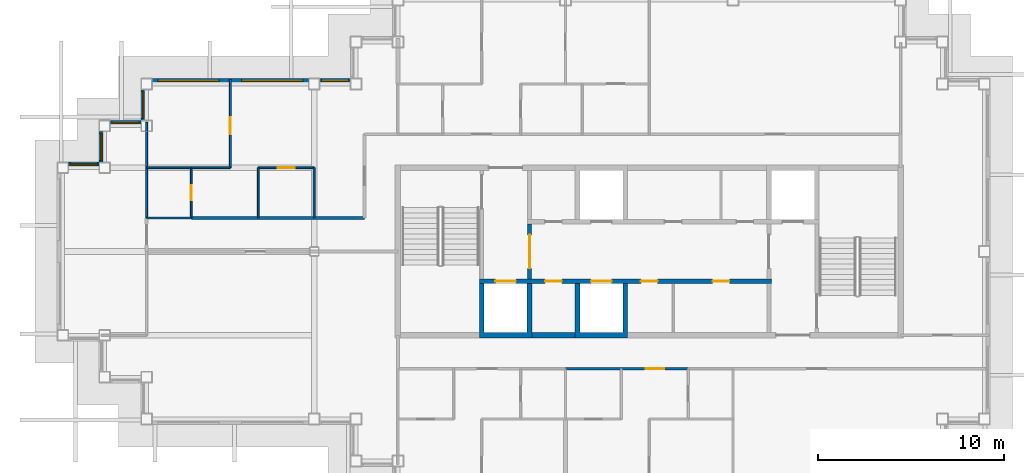
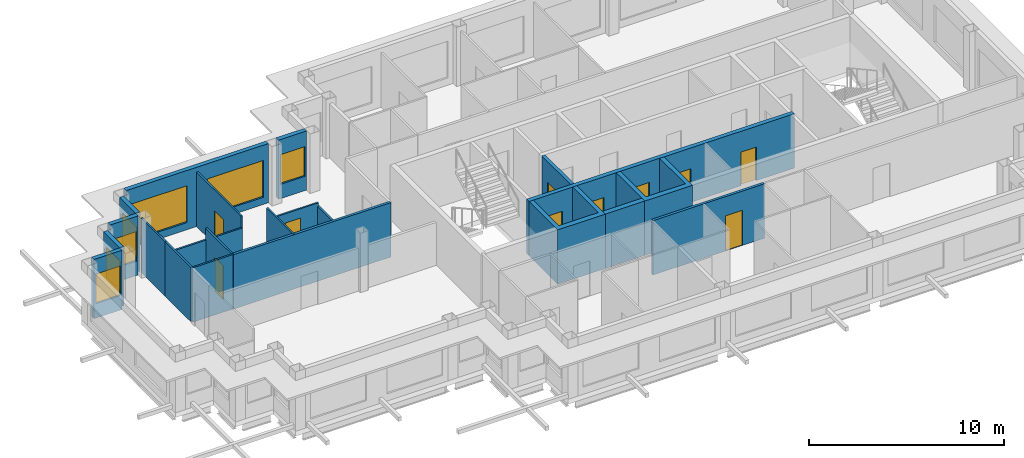
# One storey, part 3 of 11: 23 walls, 10 doors, 7 windows, 17 openings.
"""IFC4 building model written with IfcOpenShell, lengths in metres."""

from ifc_helpers import new_model, si_unit, direction, frame, frame_2d, origin, place, context, subcontext, project, spatial, polyline, rectangle, outline, extrude, material, layer, layer_set, type_object, element, fill, save


model = new_model("IFC4")

# Units and contexts
model_context = context("Model", 3, precision=1e-05, world=origin(), true_north=direction((0.0, 1.0)))
body_context = subcontext(model_context, "Body", "Model", "MODEL_VIEW")
ifc_project = project(units=[si_unit("LENGTHUNIT", "METRE"), si_unit("AREAUNIT", "SQUARE_METRE"), si_unit("VOLUMEUNIT", "CUBIC_METRE"), si_unit("PLANEANGLEUNIT", "RADIAN"), si_unit("MASSUNIT", "GRAM", prefix="KILO")], contexts=[model_context])

# Site, building, storey
site_placement = place(None, origin())
site = spatial("IfcSite", under=ifc_project, at=site_placement, CompositionType="ELEMENT")
building_placement = place(site_placement, origin())
building = spatial("IfcBuilding", under=site, at=building_placement, Name="Caravel Reach Hotel and Residences", CompositionType="ELEMENT")
storey_placement = place(building_placement, frame((0.0, 0.0, 249.0)))
storey = spatial("IfcBuildingStorey", under=building, at=storey_placement, Name="L63", CompositionType="ELEMENT", Elevation=249.0)

# Walls
ifc_material_1 = material(Name="Gypsum board on steel stud", Category="steel")
ifc_layer_1 = layer(ifc_material_1, 0.10009765625)
ifc_layer_set_1 = layer_set([ifc_layer_1], Name="Bathroom pod wall 100 mm")
wall_type_1 = type_object("IfcWallType", Name="Bathroom pod wall 100 mm", PredefinedType="PARTITIONING", material=ifc_layer_set_1)
wall_1_placement = place(storey_placement, frame((4.5, 28.800048828125, 0.0), z_axis=(0.0, 0.0, 1.0), x_axis=(1.0, 0.0, 0.0)))
element("IfcWall", 1, at=wall_1_placement, inside=storey, type_object=wall_type_1, Name="L63 wall w057", PredefinedType="PARTITIONING", context=body_context, shape_type="SweptSolid", body=[
    extrude(rectangle(XDim=2.39990234375, YDim=0.10009765625, at=frame_2d((1.199951171875, 0.0))), origin(), (0.0, 0.0, 1.0), 3.39990234375),
])
wall_2_placement = place(storey_placement, frame((4.5, 31.5, 0.0), z_axis=(0.0, 0.0, 1.0), x_axis=(1.0, 0.0, 0.0)))
element("IfcWall", 2, at=wall_2_placement, inside=storey, type_object=wall_type_1, Name="L63 wall w058", PredefinedType="PARTITIONING", context=body_context, shape_type="SweptSolid", body=[
    extrude(rectangle(XDim=2.39990234375, YDim=0.10009765625, at=frame_2d((1.199951171875, 0.0))), origin(), (0.0, 0.0, 1.0), 2.679931640625),
])
wall_3_placement = place(storey_placement, frame((4.5, 28.800048828125, 0.0), z_axis=(0.0, 0.0, 1.0), x_axis=(0.0, 1.0, 0.0)))
element("IfcWall", 3, at=wall_3_placement, inside=storey, type_object=wall_type_1, Name="L63 wall w067", PredefinedType="PARTITIONING", context=body_context, shape_type="SweptSolid", body=[
    extrude(rectangle(XDim=2.699951171875, YDim=0.10009765625, at=frame_2d((1.35009765625, 0.0))), origin(), (0.0, 0.0, 1.0), 3.39990234375),
])

# Wall, opening, door
wall_4_placement = place(storey_placement, frame((6.89990234375, 28.800048828125, 0.0), z_axis=(0.0, 0.0, 1.0), x_axis=(0.0, 1.0, 0.0)))
wall_4 = element("IfcWall", 4, at=wall_4_placement, inside=storey, type_object=wall_type_1, Name="L63 wall w068", PredefinedType="PARTITIONING", context=body_context, shape_type="SweptSolid", body=[
    extrude(rectangle(XDim=2.699951171875, YDim=0.10009765625, at=frame_2d((1.35009765625, 0.0))), origin(), (0.0, 0.0, 1.0), 3.39990234375),
])
opening_1_placement = place(wall_4_placement, frame((0.949951171875, 0.0, 0.0)))
opening_1 = element("IfcOpeningElement", 5, at=opening_1_placement, cuts=wall_4, Name="Opening D63-025", PredefinedType="OPENING", context=body_context, shape_type="SweptSolid", body=[
    extrude(rectangle(XDim=0.800048828125, YDim=2.10009765625, at=frame_2d((0.39990234375, 1.050048828125))), frame((0.0, 0.06005859375, 0.0), z_axis=(0.0, -1.0, 0.0), x_axis=(1.0, 0.0, 0.0)), (0.0, 0.0, 1.0), 0.1201171875),
])
ifc_material_2 = material(Name="Timber and steel door leaf", Category="steel")
door_type_1 = type_object("IfcDoorType", Name="Bathroom door 800 x 2100", OperationType="SINGLE_SWING_LEFT", PredefinedType="DOOR", material=ifc_material_2)
door_1_placement = place(opening_1_placement, origin())
door_1 = element("IfcDoor", 6, at=door_1_placement, inside=storey, type_object=door_type_1, Name="door D63-025", OperationType="SINGLE_SWING_LEFT", OverallHeight=2.10009765625, OverallWidth=0.800048828125, PredefinedType="DOOR", context=body_context, shape_type="SweptSolid", body=[
    extrude(rectangle(XDim=0.800048828125, YDim=2.10009765625, at=frame_2d((0.39990234375, 1.050048828125))), frame((0.0, 0.02490234375, 0.0), z_axis=(0.0, -1.0, 0.0), x_axis=(1.0, 0.0, 0.0)), (0.0, 0.0, 1.0), 0.050048828125),
])
fill(opening_1, door_1)

# Wall
ifc_material_3 = material(Name="Concrete C60", Category="concrete")
ifc_layer_2 = layer(ifc_material_3, 0.300048828125)
ifc_layer_set_2 = layer_set([ifc_layer_2], Name="Core wall 300 mm EI 120")
wall_type_2 = type_object("IfcWallType", Name="Core wall 300 mm EI 120", PredefinedType="SHEAR", material=ifc_layer_set_2)
wall_5_placement = place(storey_placement, frame((25.196533203125, 22.5, 0.0), z_axis=(0.0, 0.0, 1.0), x_axis=(1.0, 0.0, 0.0)))
element("IfcWall", 7, at=wall_5_placement, inside=storey, type_object=wall_type_2, Name="L63 core wall S2", PredefinedType="SHEAR", context=body_context, shape_type="SweptSolid", body=[
    extrude(rectangle(XDim=2.3212890625, YDim=0.300048828125, at=frame_2d((1.16064453125, 0.0))), origin(), (0.0, 0.0, 1.0), 3.39990234375),
])

# Wall, opening, door
ifc_material_4 = material(Name="Gypsum board on steel stud, fire-rated", Category="steel")
ifc_layer_3 = layer(ifc_material_4, 0.14990234375)
ifc_layer_set_3 = layer_set([ifc_layer_3], Name="Corridor wall 150 mm EI 60")
wall_type_3 = type_object("IfcWallType", Name="Corridor wall 150 mm EI 60", PredefinedType="PARTITIONING", material=ifc_layer_set_3)
wall_6_placement = place(storey_placement, frame((27.0, 20.699951171875, 0.0), z_axis=(0.0, 0.0, 1.0), x_axis=(1.0, 0.0, 0.0)))
wall_6 = element("IfcWall", 8, at=wall_6_placement, inside=storey, type_object=wall_type_3, Name="L63 wall w004", PredefinedType="PARTITIONING", context=body_context, shape_type="SweptSolid", body=[
    extrude(rectangle(XDim=6.60009765625, YDim=0.14990234375, at=frame_2d((3.300048828125, 0.0))), origin(), (0.0, 0.0, 1.0), 3.39990234375),
])
opening_2_placement = place(wall_6_placement, frame((4.300048828125, 0.0, 0.0)))
opening_2 = element("IfcOpeningElement", 9, at=opening_2_placement, cuts=wall_6, Name="Opening D63-033", PredefinedType="OPENING", context=body_context, shape_type="SweptSolid", body=[
    extrude(rectangle(XDim=1.0, YDim=2.199951171875, at=frame_2d((0.5, 1.10009765625))), frame((0.0, 0.0849609375, 0.0), z_axis=(0.0, -1.0, 0.0), x_axis=(1.0, 0.0, 0.0)), (0.0, 0.0, 1.0), 0.169921875),
])
ifc_material_5 = material(Name="Steel fire door leaf", Category="steel")
door_type_2 = type_object("IfcDoorType", Name="Flat entrance door 1000 x 2200 EI 60", OperationType="SINGLE_SWING_LEFT", PredefinedType="DOOR", material=ifc_material_5)
door_2_placement = place(opening_2_placement, origin())
door_2 = element("IfcDoor", 10, at=door_2_placement, inside=storey, type_object=door_type_2, Name="door D63-033", OperationType="SINGLE_SWING_LEFT", OverallHeight=2.199951171875, OverallWidth=1.0, PredefinedType="DOOR", context=body_context, shape_type="SweptSolid", body=[
    extrude(rectangle(XDim=1.0, YDim=2.199951171875, at=frame_2d((0.5, 1.10009765625))), frame((0.0, 0.02490234375, 0.0), z_axis=(0.0, -1.0, 0.0), x_axis=(1.0, 0.0, 0.0)), (0.0, 0.0, 1.0), 0.050048828125),
])
fill(opening_2, door_2)

# Wall
wall_7_placement = place(storey_placement, frame((6.89990234375, 28.800048828125, 0.0), z_axis=(0.0, 0.0, 1.0), x_axis=(1.0, 0.0, 0.0)))
element("IfcWall", 11, at=wall_7_placement, inside=storey, type_object=wall_type_3, Name="L63 wall w009", PredefinedType="PARTITIONING", context=body_context, shape_type="SweptSolid", body=[
    extrude(rectangle(XDim=9.299072265625, YDim=0.14990234375, at=frame_2d((4.6494140625, 0.0))), origin(), (0.0, 0.0, 1.0), 3.39990234375),
])

# Wall, opening, window
ifc_material_6 = material(Name="Insulated rainscreen wall, aluminium cladding", Category="aluminium")
ifc_layer_4 = layer(ifc_material_6, 0.25)
ifc_layer_set_4 = layer_set([ifc_layer_4], Name="EW1 Tower rainscreen wall")
wall_type_4 = type_object("IfcWallType", Name="EW1 Tower rainscreen wall", PredefinedType="SOLIDWALL", material=ifc_layer_set_4)
wall_8_placement = place(storey_placement, frame((15.449951171875, 36.175048828125, 0.0), z_axis=(0.0, 0.0, 1.0), x_axis=(-1.0, 0.0, 0.0)))
wall_8 = element("IfcWall", 12, at=wall_8_placement, inside=storey, type_object=wall_type_4, Name="External wall L63 N18.1", PredefinedType="SOLIDWALL", context=body_context, shape_type="SweptSolid", body=[
    extrude(rectangle(XDim=1.64990234375, YDim=0.25, at=frame_2d((0.824951171875, 0.0))), origin(), (0.0, 0.0, 1.0), 3.699951171875),
])
opening_3_placement = place(wall_8_placement, frame((0.10009765625, 0.0, 0.89990234375)))
opening_3 = element("IfcOpeningElement", 13, at=opening_3_placement, cuts=wall_8, Name="Opening WN25", PredefinedType="OPENING", context=body_context, shape_type="SweptSolid", body=[
    extrude(rectangle(XDim=1.449951171875, YDim=1.85009765625, at=frame_2d((0.72509765625, 0.925048828125))), frame((0.0, 0.135009765625, 0.0), z_axis=(0.0, -1.0, 0.0), x_axis=(1.0, 0.0, 0.0)), (0.0, 0.0, 1.0), 0.27001953125),
])
ifc_material_7 = material(Name="Dark low-e glazing in black aluminium frame", Category="aluminium")
window_type_1 = type_object("IfcWindowType", Name="Residence bedroom window 1450 x 1850", PartitioningType="SINGLE_PANEL", PredefinedType="WINDOW", material=ifc_material_7)
window_1_placement = place(opening_3_placement, origin())
window_1 = element("IfcWindow", 14, at=window_1_placement, inside=storey, type_object=window_type_1, Name="Window L63 N18.1.1", OverallHeight=1.85009765625, OverallWidth=1.449951171875, PartitioningType="SINGLE_PANEL", PredefinedType="WINDOW", context=body_context, shape_type="SweptSolid", body=[
    extrude(rectangle(XDim=1.449951171875, YDim=1.85009765625, at=frame_2d((0.72509765625, 0.925048828125))), frame((0.0, 0.030029296875, 0.0), z_axis=(0.0, -1.0, 0.0), x_axis=(1.0, 0.0, 0.0)), (0.0, 0.0, 1.0), 0.06005859375),
])
fill(opening_3, window_1)

# Wall, openings, windows
wall_9_placement = place(storey_placement, frame((13.199951171875, 36.175048828125, 0.0), z_axis=(0.0, 0.0, 1.0), x_axis=(-1.0, 0.0, 0.0)))
wall_9 = element("IfcWall", 15, at=wall_9_placement, inside=storey, type_object=wall_type_4, Name="External wall L63 N18.2", PredefinedType="SOLIDWALL", context=body_context, shape_type="SweptSolid", body=[
    extrude(rectangle(XDim=8.39990234375, YDim=0.25, at=frame_2d((4.199951171875, 0.0))), origin(), (0.0, 0.0, 1.0), 3.699951171875),
])
opening_4_placement = place(wall_9_placement, frame((0.300048828125, 0.0, 0.449951171875)))
opening_4 = element("IfcOpeningElement", 16, at=opening_4_placement, cuts=wall_9, Name="Opening WN15", PredefinedType="OPENING", context=body_context, shape_type="SweptSolid", body=[
    extrude(rectangle(XDim=3.300048828125, YDim=2.300048828125, at=frame_2d((1.64990234375, 1.14990234375))), frame((0.0, 0.135009765625, 0.0), z_axis=(0.0, -1.0, 0.0), x_axis=(1.0, 0.0, 0.0)), (0.0, 0.0, 1.0), 0.27001953125),
])
opening_5_placement = place(wall_9_placement, frame((4.800048828125, 0.0, 0.449951171875)))
opening_5 = element("IfcOpeningElement", 17, at=opening_5_placement, cuts=wall_9, Name="Opening WN15", PredefinedType="OPENING", context=body_context, shape_type="SweptSolid", body=[
    extrude(rectangle(XDim=3.300048828125, YDim=2.300048828125, at=frame_2d((1.64990234375, 1.14990234375))), frame((0.0, 0.135009765625, 0.0), z_axis=(0.0, -1.0, 0.0), x_axis=(1.0, 0.0, 0.0)), (0.0, 0.0, 1.0), 0.27001953125),
])
ifc_material_8 = material(Name="Dark low-e glazing in black aluminium frame", Category="aluminium")
window_type_2 = type_object("IfcWindowType", Name="Residence living window 3300 x 2300", PartitioningType="SINGLE_PANEL", PredefinedType="WINDOW", material=ifc_material_8)
window_2_placement = place(opening_4_placement, origin())
window_2 = element("IfcWindow", 18, at=window_2_placement, inside=storey, type_object=window_type_2, Name="Window L63 N18.2.1", OverallHeight=2.300048828125, OverallWidth=3.300048828125, PartitioningType="SINGLE_PANEL", PredefinedType="WINDOW", context=body_context, shape_type="SweptSolid", body=[
    extrude(rectangle(XDim=3.300048828125, YDim=2.300048828125, at=frame_2d((1.64990234375, 1.14990234375))), frame((0.0, 0.030029296875, 0.0), z_axis=(0.0, -1.0, 0.0), x_axis=(1.0, 0.0, 0.0)), (0.0, 0.0, 1.0), 0.06005859375),
])
fill(opening_4, window_2)
window_3_placement = place(opening_5_placement, origin())
window_3 = element("IfcWindow", 19, at=window_3_placement, inside=storey, type_object=window_type_2, Name="Window L63 N18.2.2", OverallHeight=2.300048828125, OverallWidth=3.300048828125, PartitioningType="SINGLE_PANEL", PredefinedType="WINDOW", context=body_context, shape_type="SweptSolid", body=[
    extrude(rectangle(XDim=3.300048828125, YDim=2.300048828125, at=frame_2d((1.64990234375, 1.14990234375))), frame((0.0, 0.030029296875, 0.0), z_axis=(0.0, -1.0, 0.0), x_axis=(1.0, 0.0, 0.0)), (0.0, 0.0, 1.0), 0.06005859375),
])
fill(opening_5, window_3)

# Wall, opening, window
wall_10_placement = place(storey_placement, frame((4.324951171875, 35.699951171875, 0.0), z_axis=(0.0, 0.0, 1.0), x_axis=(0.0, -1.0, 0.0)))
wall_10 = element("IfcWall", 20, at=wall_10_placement, inside=storey, type_object=wall_type_4, Name="External wall L63 W19.1", PredefinedType="SOLIDWALL", context=body_context, shape_type="SweptSolid", body=[
    extrude(rectangle(XDim=1.64990234375, YDim=0.25, at=frame_2d((0.824951171875, 0.0))), origin(), (0.0, 0.0, 1.0), 3.699951171875),
])
opening_6_placement = place(wall_10_placement, frame((0.10009765625, 0.0, 0.89990234375)))
opening_6 = element("IfcOpeningElement", 21, at=opening_6_placement, cuts=wall_10, Name="Opening WN25", PredefinedType="OPENING", context=body_context, shape_type="SweptSolid", body=[
    extrude(rectangle(XDim=1.449951171875, YDim=1.85009765625, at=frame_2d((0.72509765625, 0.925048828125))), frame((0.0, 0.135009765625, 0.0), z_axis=(0.0, -1.0, 0.0), x_axis=(1.0, 0.0, 0.0)), (0.0, 0.0, 1.0), 0.27001953125),
])
window_4_placement = place(opening_6_placement, origin())
window_4 = element("IfcWindow", 22, at=window_4_placement, inside=storey, type_object=window_type_1, Name="Window L63 W19.1.1", OverallHeight=1.85009765625, OverallWidth=1.449951171875, PartitioningType="SINGLE_PANEL", PredefinedType="WINDOW", context=body_context, shape_type="SweptSolid", body=[
    extrude(rectangle(XDim=1.449951171875, YDim=1.85009765625, at=frame_2d((0.72509765625, 0.925048828125))), frame((0.0, 0.030029296875, 0.0), z_axis=(0.0, -1.0, 0.0), x_axis=(1.0, 0.0, 0.0)), (0.0, 0.0, 1.0), 0.06005859375),
])
fill(opening_6, window_4)

wall_11_placement = place(storey_placement, frame((4.199951171875, 33.925048828125, 0.0), z_axis=(0.0, 0.0, 1.0), x_axis=(-1.0, 0.0, 0.0)))
wall_11 = element("IfcWall", 23, at=wall_11_placement, inside=storey, type_object=wall_type_4, Name="External wall L63 N20.1", PredefinedType="SOLIDWALL", context=body_context, shape_type="SweptSolid", body=[
    extrude(rectangle(XDim=1.64990234375, YDim=0.25, at=frame_2d((0.824951171875, 0.0))), origin(), (0.0, 0.0, 1.0), 3.699951171875),
])
opening_7_placement = place(wall_11_placement, frame((0.10009765625, 0.0, 0.89990234375)))
opening_7 = element("IfcOpeningElement", 24, at=opening_7_placement, cuts=wall_11, Name="Opening WN25", PredefinedType="OPENING", context=body_context, shape_type="SweptSolid", body=[
    extrude(rectangle(XDim=1.449951171875, YDim=1.85009765625, at=frame_2d((0.72509765625, 0.925048828125))), frame((0.0, 0.135009765625, 0.0), z_axis=(0.0, -1.0, 0.0), x_axis=(1.0, 0.0, 0.0)), (0.0, 0.0, 1.0), 0.27001953125),
])
window_5_placement = place(opening_7_placement, origin())
window_5 = element("IfcWindow", 25, at=window_5_placement, inside=storey, type_object=window_type_1, Name="Window L63 N20.1.1", OverallHeight=1.85009765625, OverallWidth=1.449951171875, PartitioningType="SINGLE_PANEL", PredefinedType="WINDOW", context=body_context, shape_type="SweptSolid", body=[
    extrude(rectangle(XDim=1.449951171875, YDim=1.85009765625, at=frame_2d((0.72509765625, 0.925048828125))), frame((0.0, 0.030029296875, 0.0), z_axis=(0.0, -1.0, 0.0), x_axis=(1.0, 0.0, 0.0)), (0.0, 0.0, 1.0), 0.06005859375),
])
fill(opening_7, window_5)

wall_12_placement = place(storey_placement, frame((2.074951171875, 33.449951171875, 0.0), z_axis=(0.0, 0.0, 1.0), x_axis=(0.0, -1.0, 0.0)))
wall_12 = element("IfcWall", 26, at=wall_12_placement, inside=storey, type_object=wall_type_4, Name="External wall L63 W21.1", PredefinedType="SOLIDWALL", context=body_context, shape_type="SweptSolid", body=[
    extrude(rectangle(XDim=1.64990234375, YDim=0.25, at=frame_2d((0.824951171875, 0.0))), origin(), (0.0, 0.0, 1.0), 3.699951171875),
])
opening_8_placement = place(wall_12_placement, frame((0.10009765625, 0.0, 0.89990234375)))
opening_8 = element("IfcOpeningElement", 27, at=opening_8_placement, cuts=wall_12, Name="Opening WN25", PredefinedType="OPENING", context=body_context, shape_type="SweptSolid", body=[
    extrude(rectangle(XDim=1.449951171875, YDim=1.85009765625, at=frame_2d((0.72509765625, 0.925048828125))), frame((0.0, 0.135009765625, 0.0), z_axis=(0.0, -1.0, 0.0), x_axis=(1.0, 0.0, 0.0)), (0.0, 0.0, 1.0), 0.27001953125),
])
window_6_placement = place(opening_8_placement, origin())
window_6 = element("IfcWindow", 28, at=window_6_placement, inside=storey, type_object=window_type_1, Name="Window L63 W21.1.1", OverallHeight=1.85009765625, OverallWidth=1.449951171875, PartitioningType="SINGLE_PANEL", PredefinedType="WINDOW", context=body_context, shape_type="SweptSolid", body=[
    extrude(rectangle(XDim=1.449951171875, YDim=1.85009765625, at=frame_2d((0.72509765625, 0.925048828125))), frame((0.0, 0.030029296875, 0.0), z_axis=(0.0, -1.0, 0.0), x_axis=(1.0, 0.0, 0.0)), (0.0, 0.0, 1.0), 0.06005859375),
])
fill(opening_8, window_6)

wall_13_placement = place(storey_placement, frame((1.949951171875, 31.675048828125, 0.0), z_axis=(0.0, 0.0, 1.0), x_axis=(-1.0, 0.0, 0.0)))
wall_13 = element("IfcWall", 29, at=wall_13_placement, inside=storey, type_object=wall_type_4, Name="External wall L63 N22.1", PredefinedType="SOLIDWALL", context=body_context, shape_type="SweptSolid", body=[
    extrude(rectangle(XDim=1.64990234375, YDim=0.25, at=frame_2d((0.824951171875, 0.0))), origin(), (0.0, 0.0, 1.0), 3.699951171875),
])
opening_9_placement = place(wall_13_placement, frame((0.10009765625, 0.0, 0.89990234375)))
opening_9 = element("IfcOpeningElement", 30, at=opening_9_placement, cuts=wall_13, Name="Opening WN25", PredefinedType="OPENING", context=body_context, shape_type="SweptSolid", body=[
    extrude(rectangle(XDim=1.449951171875, YDim=1.85009765625, at=frame_2d((0.72509765625, 0.925048828125))), frame((0.0, 0.135009765625, 0.0), z_axis=(0.0, -1.0, 0.0), x_axis=(1.0, 0.0, 0.0)), (0.0, 0.0, 1.0), 0.27001953125),
])
window_7_placement = place(opening_9_placement, origin())
window_7 = element("IfcWindow", 31, at=window_7_placement, inside=storey, type_object=window_type_1, Name="Window L63 N22.1.1", OverallHeight=1.85009765625, OverallWidth=1.449951171875, PartitioningType="SINGLE_PANEL", PredefinedType="WINDOW", context=body_context, shape_type="SweptSolid", body=[
    extrude(rectangle(XDim=1.449951171875, YDim=1.85009765625, at=frame_2d((0.72509765625, 0.925048828125))), frame((0.0, 0.030029296875, 0.0), z_axis=(0.0, -1.0, 0.0), x_axis=(1.0, 0.0, 0.0)), (0.0, 0.0, 1.0), 0.06005859375),
])
fill(opening_9, window_7)

# Wall, opening, door
ifc_material_9 = material(Name="Autoclaved aerated block wall")
ifc_layer_5 = layer(ifc_material_9, 0.199951171875)
ifc_layer_set_5 = layer_set([ifc_layer_5], Name="Fire lobby wall 200 mm EI 120")
wall_type_5 = type_object("IfcWallType", Name="Fire lobby wall 200 mm EI 120", PredefinedType="PARTITIONING", material=ifc_layer_set_5)
wall_14_placement = place(storey_placement, frame((25.071533203125, 25.52490234375, 0.0), z_axis=(0.0, 0.0, 1.0), x_axis=(0.0, 1.0, 0.0)))
wall_14 = element("IfcWall", 32, at=wall_14_placement, inside=storey, type_object=wall_type_5, Name="L63 lobby W wall", PredefinedType="PARTITIONING", context=body_context, shape_type="SweptSolid", body=[
    extrude(rectangle(XDim=2.9501953125, YDim=0.199951171875, at=frame_2d((1.47509765625, 0.0))), origin(), (0.0, 0.0, 1.0), 3.39990234375),
])
opening_10_placement = place(wall_14_placement, frame((0.574951171875, 0.0, 0.0)))
opening_10 = element("IfcOpeningElement", 33, at=opening_10_placement, cuts=wall_14, Name="Opening D63-013", PredefinedType="OPENING", context=body_context, shape_type="SweptSolid", body=[
    extrude(rectangle(XDim=1.800048828125, YDim=2.10009765625, at=frame_2d((0.89990234375, 1.050048828125))), frame((0.0, 0.10986328125, 0.0), z_axis=(0.0, -1.0, 0.0), x_axis=(1.0, 0.0, 0.0)), (0.0, 0.0, 1.0), 0.219970703125),
])
ifc_material_10 = material(Name="Steel fire door leaf", Category="steel")
door_type_3 = type_object("IfcDoorType", Name="Fire lobby door pair 1800 x 2100 EI 90", OperationType="DOUBLE_DOOR_SINGLE_SWING", PredefinedType="DOOR", material=ifc_material_10)
door_3_placement = place(opening_10_placement, origin())
door_3 = element("IfcDoor", 34, at=door_3_placement, inside=storey, type_object=door_type_3, Name="lobby W door pair", OperationType="DOUBLE_DOOR_SINGLE_SWING", OverallHeight=2.10009765625, OverallWidth=1.800048828125, PredefinedType="DOOR", context=body_context, shape_type="SweptSolid", body=[
    extrude(rectangle(XDim=1.800048828125, YDim=2.10009765625, at=frame_2d((0.89990234375, 1.050048828125))), frame((0.0, 0.02490234375, 0.0), z_axis=(0.0, -1.0, 0.0), x_axis=(1.0, 0.0, 0.0)), (0.0, 0.0, 1.0), 0.050048828125),
])
fill(opening_10, door_3)

# Wall
ifc_material_11 = material(Name="Gypsum board on steel stud", Category="steel")
ifc_layer_6 = layer(ifc_material_11, 0.10009765625)
ifc_layer_set_6 = layer_set([ifc_layer_6], Name="Partition 100 mm")
wall_type_6 = type_object("IfcWallType", Name="Partition 100 mm", PredefinedType="PARTITIONING", material=ifc_layer_set_6)
wall_15_placement = place(storey_placement, frame((6.89990234375, 31.5, 0.0), z_axis=(0.0, 0.0, 1.0), x_axis=(1.0, 0.0, 0.0)))
element("IfcWall", 35, at=wall_15_placement, inside=storey, type_object=wall_type_6, Name="L63 wall w026", PredefinedType="PARTITIONING", context=body_context, shape_type="SweptSolid", body=[
    extrude(rectangle(XDim=2.10009765625, YDim=0.10009765625, at=frame_2d((1.050048828125, 0.0))), origin(), (0.0, 0.0, 1.0), 2.679931640625),
])

# Wall, opening, door
wall_16_placement = place(storey_placement, frame((10.5, 31.5, 0.0), z_axis=(0.0, 0.0, 1.0), x_axis=(1.0, 0.0, 0.0)))
wall_16 = element("IfcWall", 36, at=wall_16_placement, inside=storey, type_object=wall_type_6, Name="L63 wall w027", PredefinedType="PARTITIONING", context=body_context, shape_type="SweptSolid", body=[
    extrude(rectangle(XDim=3.0, YDim=0.10009765625, at=frame_2d((1.5, 0.0))), origin(), (0.0, 0.0, 1.0), 2.679931640625),
])
opening_11_placement = place(wall_16_placement, frame((1.050048828125, 0.0, 0.0)))
opening_11 = element("IfcOpeningElement", 37, at=opening_11_placement, cuts=wall_16, Name="Opening D63-026", PredefinedType="OPENING", context=body_context, shape_type="SweptSolid", body=[
    extrude(rectangle(XDim=0.89990234375, YDim=2.10009765625, at=frame_2d((0.449951171875, 1.050048828125))), frame((0.0, 0.06005859375, 0.0), z_axis=(0.0, -1.0, 0.0), x_axis=(1.0, 0.0, 0.0)), (0.0, 0.0, 1.0), 0.1201171875),
])
ifc_material_12 = material(Name="Timber and steel door leaf", Category="steel")
door_type_4 = type_object("IfcDoorType", Name="Door 900 x 2100 timber", OperationType="SINGLE_SWING_LEFT", PredefinedType="DOOR", material=ifc_material_12)
door_4_placement = place(opening_11_placement, origin())
door_4 = element("IfcDoor", 38, at=door_4_placement, inside=storey, type_object=door_type_4, Name="door D63-026", OperationType="SINGLE_SWING_LEFT", OverallHeight=2.10009765625, OverallWidth=0.89990234375, PredefinedType="DOOR", context=body_context, shape_type="SweptSolid", body=[
    extrude(rectangle(XDim=0.89990234375, YDim=2.10009765625, at=frame_2d((0.449951171875, 1.050048828125))), frame((0.0, 0.02490234375, 0.0), z_axis=(0.0, -1.0, 0.0), x_axis=(1.0, 0.0, 0.0)), (0.0, 0.0, 1.0), 0.050048828125),
])
fill(opening_11, door_4)

# Walls
wall_17_placement = place(storey_placement, frame((10.5, 28.800048828125, 0.0), z_axis=(0.0, 0.0, 1.0), x_axis=(0.0, 1.0, 0.0)))
element("IfcWall", 39, at=wall_17_placement, inside=storey, type_object=wall_type_6, Name="L63 wall w032", PredefinedType="PARTITIONING", context=body_context, shape_type="SweptSolid", body=[
    extrude(rectangle(XDim=2.699951171875, YDim=0.10009765625, at=frame_2d((1.35009765625, 0.0))), origin(), (0.0, 0.0, 1.0), 3.39990234375),
])
wall_18_placement = place(storey_placement, frame((13.5, 28.801025390625, 0.0), z_axis=(0.0, 0.0, 1.0), x_axis=(0.0, 1.0, 0.0)))
element("IfcWall", 40, at=wall_18_placement, inside=storey, type_object=wall_type_6, Name="L63 wall w033", PredefinedType="PARTITIONING", context=body_context, shape_type="SweptSolid", body=[
    extrude(rectangle(XDim=2.698974609375, YDim=0.10009765625, at=frame_2d((1.349609375, 0.0))), origin(), (0.0, 0.0, 1.0), 2.47998046875),
])
wall_19_placement = place(storey_placement, frame((4.5, 31.5009765625, 0.0), z_axis=(0.0, 0.0, 1.0), x_axis=(0.0, 1.0, 0.0)))
element("IfcWall", 41, at=wall_19_placement, inside=storey, type_object=wall_type_6, Name="L63 wall w047", PredefinedType="PARTITIONING", context=body_context, shape_type="SweptSolid", body=[
    extrude(rectangle(XDim=2.43896484375, YDim=0.10009765625, at=frame_2d((1.219482421875, 0.0))), origin(), (0.0, 0.0, 1.0), 3.39990234375),
])

# Wall, opening, door
wall_20_placement = place(storey_placement, frame((9.0, 31.5, 0.0), z_axis=(0.0, 0.0, 1.0), x_axis=(0.0, 1.0, 0.0)))
wall_20 = element("IfcWall", 42, at=wall_20_placement, inside=storey, type_object=wall_type_6, Name="L63 wall w050", PredefinedType="PARTITIONING", context=body_context, shape_type="SweptSolid", body=[
    extrude(rectangle(XDim=4.739990234375, YDim=0.10009765625, at=frame_2d((2.3701171875, 0.0))), origin(), (0.0, 0.0, 1.0), 3.39990234375),
])
opening_12_placement = place(wall_20_placement, frame((1.800048828125, 0.0, 0.0)))
opening_12 = element("IfcOpeningElement", 43, at=opening_12_placement, cuts=wall_20, Name="Opening D63-027", PredefinedType="OPENING", context=body_context, shape_type="SweptSolid", body=[
    extrude(rectangle(XDim=0.89990234375, YDim=2.10009765625, at=frame_2d((0.449951171875, 1.050048828125))), frame((0.0, 0.06005859375, 0.0), z_axis=(0.0, -1.0, 0.0), x_axis=(1.0, 0.0, 0.0)), (0.0, 0.0, 1.0), 0.1201171875),
])
door_5_placement = place(opening_12_placement, origin())
door_5 = element("IfcDoor", 44, at=door_5_placement, inside=storey, type_object=door_type_4, Name="door D63-027", OperationType="SINGLE_SWING_LEFT", OverallHeight=2.10009765625, OverallWidth=0.89990234375, PredefinedType="DOOR", context=body_context, shape_type="SweptSolid", body=[
    extrude(rectangle(XDim=0.89990234375, YDim=2.10009765625, at=frame_2d((0.449951171875, 1.050048828125))), frame((0.0, 0.02490234375, 0.0), z_axis=(0.0, -1.0, 0.0), x_axis=(1.0, 0.0, 0.0)), (0.0, 0.0, 1.0), 0.050048828125),
])
fill(opening_12, door_5)

# Walls
ifc_material_13 = material(Name="Concrete C60", Category="concrete")
ifc_layer_7 = layer(ifc_material_13, 0.25)
ifc_layer_set_7 = layer_set([ifc_layer_7], Name="Shaft wall 250 mm EI 120")
wall_type_7 = type_object("IfcWallType", Name="Shaft wall 250 mm EI 120", PredefinedType="SHEAR", material=ifc_layer_set_7)
wall_21_placement = place(storey_placement, origin())
element("IfcWall", 45, at=wall_21_placement, inside=storey, type_object=wall_type_7, Name="L63 lift shaft wall S1", PredefinedType="SHEAR", context=body_context, shape_type="SweptSolid", body=[
    extrude(outline(polyline([(22.375, 22.35009765625), (25.196533203125, 22.35009765625), (25.196533203125, 25.27490234375), (24.946533203125, 25.27490234375), (24.946533203125, 22.64990234375), (22.625, 22.64990234375), (22.625, 25.27490234375), (22.375, 25.27490234375), (22.375, 22.35009765625)])), origin(), (0.0, 0.0, 1.0), 3.39990234375),
])
wall_22_placement = place(storey_placement, origin())
element("IfcWall", 46, at=wall_22_placement, inside=storey, type_object=wall_type_7, Name="L63 lift shaft wall S2", PredefinedType="SHEAR", context=body_context, shape_type="SweptSolid", body=[
    extrude(outline(polyline([(27.517822265625, 22.35009765625), (30.33935546875, 22.35009765625), (30.33935546875, 25.27490234375), (30.08935546875, 25.27490234375), (30.08935546875, 22.64990234375), (27.767822265625, 22.64990234375), (27.767822265625, 25.27490234375), (27.517822265625, 25.27490234375), (27.517822265625, 22.35009765625)])), origin(), (0.0, 0.0, 1.0), 3.39990234375),
])

# Wall, openings, doors
wall_23_placement = place(storey_placement, frame((22.375, 25.39990234375, 0.0), z_axis=(0.0, 0.0, 1.0), x_axis=(1.0, 0.0, 0.0)))
wall_23 = element("IfcWall", 47, at=wall_23_placement, inside=storey, type_object=wall_type_7, Name="L63 lobby wall S1", PredefinedType="SHEAR", context=body_context, shape_type="SweptSolid", body=[
    extrude(rectangle(XDim=15.678466796875, YDim=0.25, at=frame_2d((7.83935546875, 0.0))), origin(), (0.0, 0.0, 1.0), 3.39990234375),
])
opening_13_placement = place(wall_23_placement, frame((6.003662109375, 0.0, 0.0)))
opening_13 = element("IfcOpeningElement", 48, at=opening_13_placement, cuts=wall_23, Name="Opening D63-001", PredefinedType="OPENING", context=body_context, shape_type="SweptSolid", body=[
    extrude(rectangle(XDim=1.10009765625, YDim=2.10009765625, at=frame_2d((0.550048828125, 1.050048828125))), frame((0.0, 0.135009765625, 0.0), z_axis=(0.0, -1.0, 0.0), x_axis=(1.0, 0.0, 0.0)), (0.0, 0.0, 1.0), 0.27001953125),
])
opening_14_placement = place(wall_23_placement, frame((0.860595703125, 0.0, 0.0)))
opening_14 = element("IfcOpeningElement", 49, at=opening_14_placement, cuts=wall_23, Name="Opening D63-003", PredefinedType="OPENING", context=body_context, shape_type="SweptSolid", body=[
    extrude(rectangle(XDim=1.10009765625, YDim=2.10009765625, at=frame_2d((0.550048828125, 1.050048828125))), frame((0.0, 0.135009765625, 0.0), z_axis=(0.0, -1.0, 0.0), x_axis=(1.0, 0.0, 0.0)), (0.0, 0.0, 1.0), 0.27001953125),
])
opening_15_placement = place(wall_23_placement, frame((3.531982421875, 0.0, 0.0)))
opening_15 = element("IfcOpeningElement", 50, at=opening_15_placement, cuts=wall_23, Name="Opening D63-005", PredefinedType="OPENING", context=body_context, shape_type="SweptSolid", body=[
    extrude(rectangle(XDim=0.89990234375, YDim=2.10009765625, at=frame_2d((0.449951171875, 1.050048828125))), frame((0.0, 0.135009765625, 0.0), z_axis=(0.0, -1.0, 0.0), x_axis=(1.0, 0.0, 0.0)), (0.0, 0.0, 1.0), 0.27001953125),
])
opening_16_placement = place(wall_23_placement, frame((8.675048828125, 0.0, 0.0)))
opening_16 = element("IfcOpeningElement", 51, at=opening_16_placement, cuts=wall_23, Name="Opening D63-006", PredefinedType="OPENING", context=body_context, shape_type="SweptSolid", body=[
    extrude(rectangle(XDim=0.89990234375, YDim=2.10009765625, at=frame_2d((0.449951171875, 1.050048828125))), frame((0.0, 0.135009765625, 0.0), z_axis=(0.0, -1.0, 0.0), x_axis=(1.0, 0.0, 0.0)), (0.0, 0.0, 1.0), 0.27001953125),
])
opening_17_placement = place(wall_23_placement, frame((12.531982421875, 0.0, 0.0)))
opening_17 = element("IfcOpeningElement", 52, at=opening_17_placement, cuts=wall_23, Name="Opening D63-007", PredefinedType="OPENING", context=body_context, shape_type="SweptSolid", body=[
    extrude(rectangle(XDim=0.89990234375, YDim=2.10009765625, at=frame_2d((0.449951171875, 1.050048828125))), frame((0.0, 0.135009765625, 0.0), z_axis=(0.0, -1.0, 0.0), x_axis=(1.0, 0.0, 0.0)), (0.0, 0.0, 1.0), 0.27001953125),
])
ifc_material_14 = material(Name="Stainless steel landing door", Category="steel")
door_type_5 = type_object("IfcDoorType", Name="Landing door LD 1100 x 2100 sliding", OperationType="DOUBLE_DOOR_SLIDING", PredefinedType="DOOR", material=ifc_material_14)
door_6_placement = place(opening_13_placement, origin())
door_6 = element("IfcDoor", 53, at=door_6_placement, inside=storey, type_object=door_type_5, Name="HP1 landing door", OperationType="DOUBLE_DOOR_SLIDING", OverallHeight=2.10009765625, OverallWidth=1.10009765625, PredefinedType="DOOR", context=body_context, shape_type="SweptSolid", body=[
    extrude(rectangle(XDim=1.10009765625, YDim=2.10009765625, at=frame_2d((0.550048828125, 1.050048828125))), frame((0.0, 0.02490234375, 0.0), z_axis=(0.0, -1.0, 0.0), x_axis=(1.0, 0.0, 0.0)), (0.0, 0.0, 1.0), 0.050048828125),
])
fill(opening_13, door_6)
door_7_placement = place(opening_14_placement, origin())
door_7 = element("IfcDoor", 54, at=door_7_placement, inside=storey, type_object=door_type_5, Name="FL1 landing door", OperationType="DOUBLE_DOOR_SLIDING", OverallHeight=2.10009765625, OverallWidth=1.10009765625, PredefinedType="DOOR", context=body_context, shape_type="SweptSolid", body=[
    extrude(rectangle(XDim=1.10009765625, YDim=2.10009765625, at=frame_2d((0.550048828125, 1.050048828125))), frame((0.0, 0.02490234375, 0.0), z_axis=(0.0, -1.0, 0.0), x_axis=(1.0, 0.0, 0.0)), (0.0, 0.0, 1.0), 0.050048828125),
])
fill(opening_14, door_7)
ifc_material_15 = material(Name="Steel fire door leaf", Category="steel")
door_type_6 = type_object("IfcDoorType", Name="Riser door 900 x 2100 EI 60", OperationType="SINGLE_SWING_LEFT", PredefinedType="DOOR", material=ifc_material_15)
door_8_placement = place(opening_15_placement, origin())
door_8 = element("IfcDoor", 55, at=door_8_placement, inside=storey, type_object=door_type_6, Name="Refuse store door", OperationType="SINGLE_SWING_LEFT", OverallHeight=2.10009765625, OverallWidth=0.89990234375, PredefinedType="DOOR", context=body_context, shape_type="SweptSolid", body=[
    extrude(rectangle(XDim=0.89990234375, YDim=2.10009765625, at=frame_2d((0.449951171875, 1.050048828125))), frame((0.0, 0.02490234375, 0.0), z_axis=(0.0, -1.0, 0.0), x_axis=(1.0, 0.0, 0.0)), (0.0, 0.0, 1.0), 0.050048828125),
])
fill(opening_15, door_8)
door_9_placement = place(opening_16_placement, origin())
door_9 = element("IfcDoor", 56, at=door_9_placement, inside=storey, type_object=door_type_6, Name="Housekeeping store door", OperationType="SINGLE_SWING_LEFT", OverallHeight=2.10009765625, OverallWidth=0.89990234375, PredefinedType="DOOR", context=body_context, shape_type="SweptSolid", body=[
    extrude(rectangle(XDim=0.89990234375, YDim=2.10009765625, at=frame_2d((0.449951171875, 1.050048828125))), frame((0.0, 0.02490234375, 0.0), z_axis=(0.0, -1.0, 0.0), x_axis=(1.0, 0.0, 0.0)), (0.0, 0.0, 1.0), 0.050048828125),
])
fill(opening_16, door_9)
door_10_placement = place(opening_17_placement, origin())
door_10 = element("IfcDoor", 57, at=door_10_placement, inside=storey, type_object=door_type_6, Name="Mail store door", OperationType="SINGLE_SWING_LEFT", OverallHeight=2.10009765625, OverallWidth=0.89990234375, PredefinedType="DOOR", context=body_context, shape_type="SweptSolid", body=[
    extrude(rectangle(XDim=0.89990234375, YDim=2.10009765625, at=frame_2d((0.449951171875, 1.050048828125))), frame((0.0, 0.02490234375, 0.0), z_axis=(0.0, -1.0, 0.0), x_axis=(1.0, 0.0, 0.0)), (0.0, 0.0, 1.0), 0.050048828125),
])
fill(opening_17, door_10)

save(model, "model.ifc")
